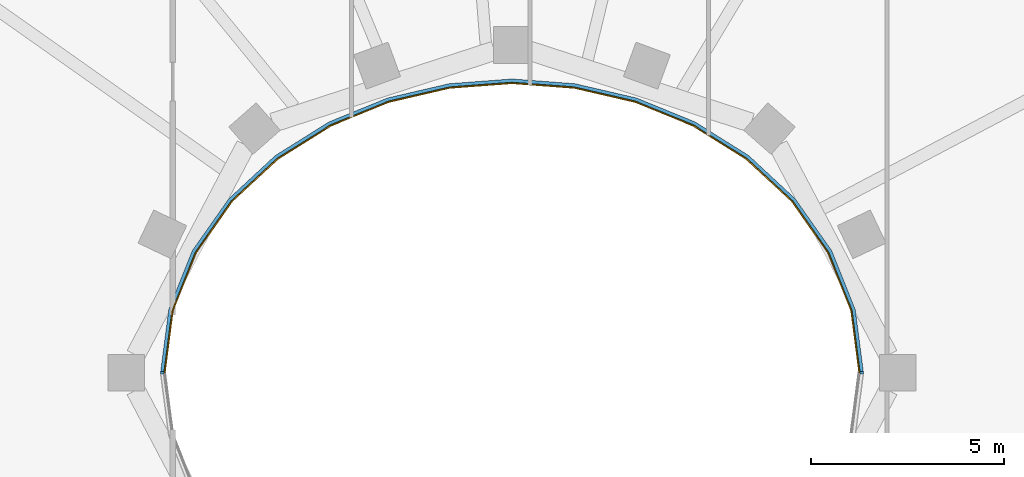
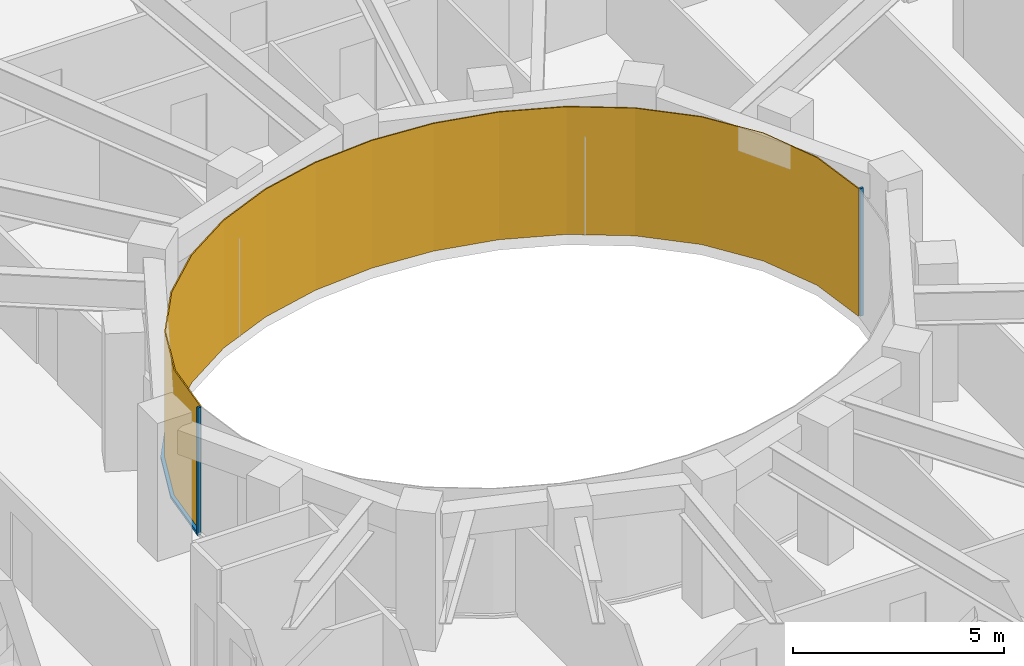
# One storey, part 12 of 16: 3 members, 1 curtain wall.
"""IFC4 building model written with IfcOpenShell, lengths in metres."""

from ifc_helpers import new_model, si_unit, direction, frame, origin, origin_2d, place, context, subcontext, project, spatial, polyline, rectangle, outline, extrude, material, layer, layer_set, material_profile, profile_set, type_object, element, aggregate, save


model = new_model("IFC4")

# Units and contexts
model_context = context("Model", 3, precision=1e-05, world=origin(), true_north=direction((0.0, 1.0)))
body_context = subcontext(model_context, "Body", "Model", "MODEL_VIEW")
ifc_project = project(units=[si_unit("LENGTHUNIT", "METRE"), si_unit("AREAUNIT", "SQUARE_METRE"), si_unit("VOLUMEUNIT", "CUBIC_METRE"), si_unit("PLANEANGLEUNIT", "RADIAN"), si_unit("MASSUNIT", "GRAM", prefix="KILO")], contexts=[model_context])

# Member
ifc_material_1 = material(Name="Steel S355 fire-resisting frame", Category="steel")
ifc_material_profile = material_profile(ifc_material_1, rectangle(XDim=0.090087890625, YDim=0.06005859375, at=origin_2d()), Name="90x60")
ifc_profile_set = profile_set([ifc_material_profile], Name="Steel S355 fire-resisting frame")
member_type_1 = type_object("IfcMemberType", Name="ENV-MULLION-W-90", PredefinedType="MULLION", material=ifc_profile_set)
site_placement = place(None, origin())
building_placement = place(site_placement, origin())
storey_placement = place(building_placement, frame((0.0, 0.0, 273.5)))
member_1_placement = place(storey_placement, frame((9.076904296875, 0.0, 0.0), z_axis=(0.0, 0.0, 1.0), x_axis=(1.0, 0.0, 0.0)))
member_1 = element("IfcMember", 1, at=member_1_placement, type_object=member_type_1, Name="Mullion W well vertex 01", PredefinedType="MULLION", context=body_context, shape_type="SweptSolid", body=[
    extrude(rectangle(XDim=0.090087890625, YDim=0.06005859375, at=origin_2d()), origin(), (0.0, 0.0, 1.0), 3.699951171875),
])

member_2_placement = place(storey_placement, frame((-9.076904296875, 0.0, 0.0), z_axis=(0.0, 0.0, 1.0), x_axis=(-1.0, 0.0, 0.0)))
member_2 = element("IfcMember", 2, at=member_2_placement, type_object=member_type_1, Name="Mullion W well vertex 17", PredefinedType="MULLION", context=body_context, shape_type="SweptSolid", body=[
    extrude(rectangle(XDim=0.090087890625, YDim=0.06005859375, at=origin_2d()), origin(), (0.0, 0.0, 1.0), 3.699951171875),
])

ifc_material_2 = material(Name="Steel S355 fire-resisting frame", Category="steel")
member_type_2 = type_object("IfcMemberType", Name="ENV-TRANSOM-W", PredefinedType="USERDEFINED", material=ifc_material_2)
member_3_placement = place(storey_placement, origin())
member_3 = element("IfcMember", 3, at=member_3_placement, type_object=member_type_2, Name="Transom W well 01-17", ObjectType="TRANSOM", PredefinedType="USERDEFINED", context=body_context, shape_type="SweptSolid", body=[
    extrude(outline(polyline([(9.119384765625, 0.02783203125), (8.910400390625, 1.63623046875), (8.29833984375, 3.167236328125), (7.35107421875, 4.5146484375), (6.1455078125, 5.6337890625), (4.75341796875, 6.50634765625), (3.233642578125, 7.127685546875), (1.635498046875, 7.498779296875), (0.0, 7.622314453125), (-1.635498046875, 7.498779296875), (-3.233642578125, 7.127685546875), (-4.75341796875, 6.50634765625), (-6.1455078125, 5.6337890625), (-7.35107421875, 4.5146484375), (-8.29833984375, 3.167236328125), (-8.910400390625, 1.63623046875), (-9.119384765625, 0.02783203125), (-9.02880859375, 0.02783203125), (-8.822509765625, 1.61328125), (-8.21875, 3.124267578125), (-7.282958984375, 4.455078125), (-6.090576171875, 5.56201171875), (-4.712158203125, 6.426025390625), (-3.206298828125, 7.04150390625), (-1.621826171875, 7.40966796875), (0.0, 7.531982421875), (1.621826171875, 7.40966796875), (3.206298828125, 7.04150390625), (4.712158203125, 6.426025390625), (6.090576171875, 5.56201171875), (7.282958984375, 4.455078125), (8.21875, 3.124267578125), (8.822509765625, 1.61328125), (9.02880859375, 0.02783203125), (9.119384765625, 0.02783203125)])), origin(), (0.0, 0.0, 1.0), 0.080078125),
])

# Site, building, storey
site = spatial("IfcSite", under=ifc_project, at=site_placement, CompositionType="ELEMENT")
building = spatial("IfcBuilding", under=site, at=building_placement, Name="Noorbagh Ring Tower", CompositionType="ELEMENT")
storey = spatial("IfcBuildingStorey", under=building, at=storey_placement, Name="L58", CompositionType="ELEMENT", Elevation=273.5)

# Curtain wall
ifc_material_3 = material(Name="Glass fire-resisting E60 laminated", Category="glass")
ifc_layer = layer(ifc_material_3, 0.031982421875)
ifc_layer_set = layer_set([ifc_layer], Name="Glass fire-resisting E60 laminated")
curtain_wall_type = type_object("IfcCurtainWallType", Name="ENV-CW-W", PredefinedType="NOTDEFINED", material=ifc_layer_set)
curtain_wall_placement = place(storey_placement, origin())
curtain_wall = element("IfcCurtainWall", 4, at=curtain_wall_placement, inside=storey, type_object=curtain_wall_type, Name="Curtain wall W W01", PredefinedType="NOTDEFINED", context=body_context, shape_type="SweptSolid", body=[
    extrude(outline(polyline([(9.0322265625, 0.0), (8.822509765625, 1.61328125), (8.21875, 3.124267578125), (7.282958984375, 4.455078125), (6.090576171875, 5.56201171875), (4.712158203125, 6.426025390625), (3.206298828125, 7.04150390625), (1.621826171875, 7.40966796875), (0.0, 7.531982421875), (-1.621826171875, 7.40966796875), (-3.206298828125, 7.04150390625), (-4.712158203125, 6.426025390625), (-6.090576171875, 5.56201171875), (-7.282958984375, 4.455078125), (-8.21875, 3.124267578125), (-8.822509765625, 1.61328125), (-9.0322265625, 0.0), (-9.0, 0.0), (-8.79150390625, 1.605224609375), (-8.1904296875, 3.10888671875), (-7.2587890625, 4.43408203125), (-6.071044921875, 5.53662109375), (-4.697509765625, 6.3974609375), (-3.196533203125, 7.010986328125), (-1.6171875, 7.3779296875), (0.0, 7.5), (1.6171875, 7.3779296875), (3.196533203125, 7.010986328125), (4.697509765625, 6.3974609375), (6.071044921875, 5.53662109375), (7.2587890625, 4.43408203125), (8.1904296875, 3.10888671875), (8.79150390625, 1.605224609375), (9.0, 0.0), (9.0322265625, 0.0)])), origin(), (0.0, 0.0, 1.0), 3.699951171875),
])

aggregate(curtain_wall, [member_1, member_2, member_3])

save(model, "model.ifc")
